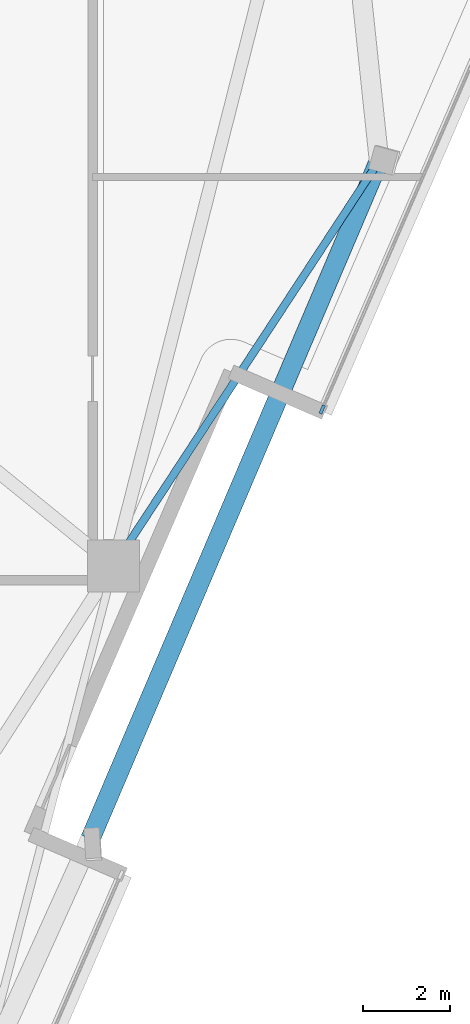
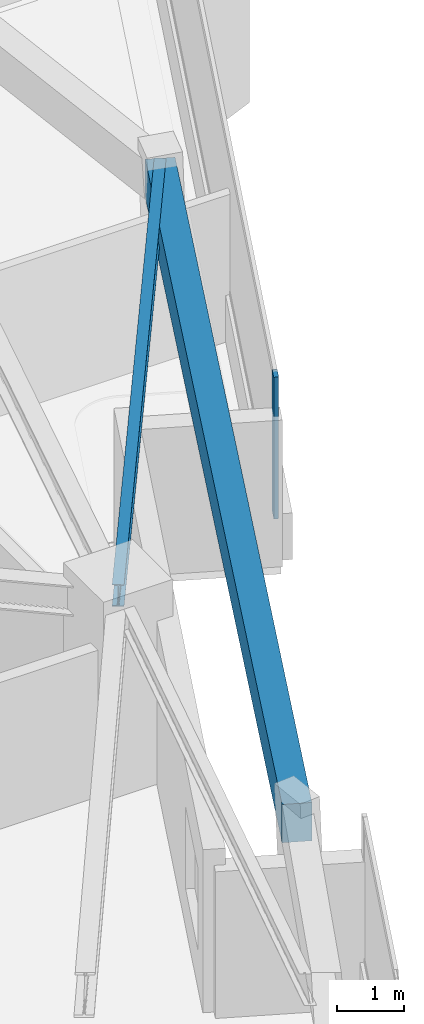
# One storey, part 3 of 10: 2 beams, 1 member, 1 element without a shape of its own.
"""IFC4 building model written with IfcOpenShell, lengths in metres."""

from ifc_helpers import new_model, si_unit, direction, frame, origin, origin_2d, place, context, subcontext, project, spatial, rectangle, i_section, extrude, material, layer, layer_set, material_profile, profile_set, type_object, element, aggregate, save


model = new_model("IFC4")

# Units and contexts
model_context = context("Model", 3, precision=1e-05, world=origin(), true_north=direction((0.0, 1.0)))
body_context = subcontext(model_context, "Body", "Model", "MODEL_VIEW")
ifc_project = project(units=[si_unit("LENGTHUNIT", "METRE"), si_unit("AREAUNIT", "SQUARE_METRE"), si_unit("VOLUMEUNIT", "CUBIC_METRE"), si_unit("PLANEANGLEUNIT", "RADIAN"), si_unit("MASSUNIT", "GRAM", prefix="KILO")], contexts=[model_context])

# Site, building, storey
site_placement = place(None, origin())
site = spatial("IfcSite", under=ifc_project, at=site_placement, CompositionType="ELEMENT")
building_placement = place(site_placement, origin())
building = spatial("IfcBuilding", under=site, at=building_placement, Name="Talyreon Biosciences Tower", CompositionType="ELEMENT")
storey_placement = place(building_placement, frame((0.0, 0.0, 257.14990234375)))
storey = spatial("IfcBuildingStorey", under=building, at=storey_placement, Name="L68", CompositionType="ELEMENT", Elevation=257.14990234375)

# Curtain wall, member
ifc_material_1 = material(Name="Thermally broken aluminium and low-E glazing", Category="aluminium")
ifc_layer = layer(ifc_material_1, 0.205078125)
ifc_layer_set = layer_set([ifc_layer], Name="Thermally broken aluminium and low-E glazing")
curtain_wall_type = type_object("IfcCurtainWallType", Name="CurtainWall_SkyGardenLoggia", PredefinedType="NOTDEFINED", material=ifc_layer_set)
curtain_wall_placement = place(storey_placement, origin())
curtain_wall = element("IfcCurtainWall", 1, at=curtain_wall_placement, inside=storey, type_object=curtain_wall_type, Name="L68 Unitised Curtain Wall FCW-L68-07", PredefinedType="NOTDEFINED")
ifc_material_2 = material(Name="Anodised thermally broken aluminium", Category="aluminium")
ifc_material_profile_1 = material_profile(ifc_material_2, rectangle(XDim=0.074951171875, YDim=0.2099609375, at=origin_2d()), Name="ALUM MULLION 75x210")
ifc_profile_set_1 = profile_set([ifc_material_profile_1], Name="Anodised thermally broken aluminium")
member_type = type_object("IfcMemberType", Name="CWMullion_75x210", PredefinedType="MULLION", material=ifc_profile_set_1)
member_placement = place(storey_placement, frame((81.88671875, 62.4833984375, 0.81005859375), z_axis=(0.0, 0.0, 1.0), x_axis=(0.917723960256, -0.397218746753, 0.0)))
member = element("IfcMember", 2, at=member_placement, type_object=member_type, Name="CW7 mullion 2", PredefinedType="MULLION", context=body_context, shape_type="SweptSolid", body=[
    extrude(rectangle(XDim=0.074951171875, YDim=0.2099609375, at=origin_2d()), origin(), (0.0, 0.0, 1.0), 2.590087890625),
])
aggregate(curtain_wall, [member])

# Beams
ifc_material_3 = material(Name="Precast concrete C45/55", Category="concrete")
ifc_material_profile_2 = material_profile(ifc_material_3, rectangle(XDim=0.449951171875, YDim=0.699951171875, at=origin_2d()), Name="RCB 450x700")
ifc_profile_set_2 = profile_set([ifc_material_profile_2], Name="Precast concrete C45/55")
beam_type_1 = type_object("IfcBeamType", Name="ExpressedSpandrel_450x700", PredefinedType="SPANDREL", material=ifc_profile_set_2)
beam_1_placement = place(storey_placement, frame((76.54931640625, 52.593505859375, 3.050048828125), z_axis=(0.391796440155, 0.920051927601, 0.0), x_axis=(-0.920051927601, 0.391796440155, 0.0)))
element("IfcBeam", 3, at=beam_1_placement, inside=storey, type_object=beam_type_1, Name="L68 Expressed Horizontal Concrete Spandrel 03", PredefinedType="SPANDREL", context=body_context, shape_type="SweptSolid", body=[
    extrude(rectangle(XDim=0.449951171875, YDim=0.699951171875, at=origin_2d()), origin(), (0.0, 0.0, 1.0), 16.9697265625),
])
ifc_material_4 = material(Name="Steel SM355", Category="steel")
ifc_material_profile_3 = material_profile(ifc_material_4, i_section(OverallWidth=0.179931640625, OverallDepth=0.39990234375, WebThickness=0.008544921875, FlangeThickness=0.013427734375, FilletRadius=0.02099609375, at=origin_2d()), Name="IPE400")
ifc_profile_set_3 = profile_set([ifc_material_profile_3], Name="Steel SM355")
beam_type_2 = type_object("IfcBeamType", Name="SteelJoist_IPE400", PredefinedType="JOIST", material=ifc_profile_set_3)
beam_2_placement = place(storey_placement, frame((77.086181640625, 58.88037109375, 3.2001953125), z_axis=(0.548124508708, 0.836396749727, 0.0), x_axis=(-0.836396749727, 0.548124508708, 0.0)))
element("IfcBeam", 4, at=beam_2_placement, inside=storey, type_object=beam_type_2, Name="L68 Radial Composite Floor Joist PC-SE2", PredefinedType="JOIST", context=body_context, shape_type="SweptSolid", body=[
    extrude(i_section(OverallWidth=0.179931640625, OverallDepth=0.39990234375, WebThickness=0.008544921875, FlangeThickness=0.013427734375, FilletRadius=0.02099609375, at=origin_2d()), origin(), (0.0, 0.0, 1.0), 11.150390625),
])

save(model, "model.ifc")
